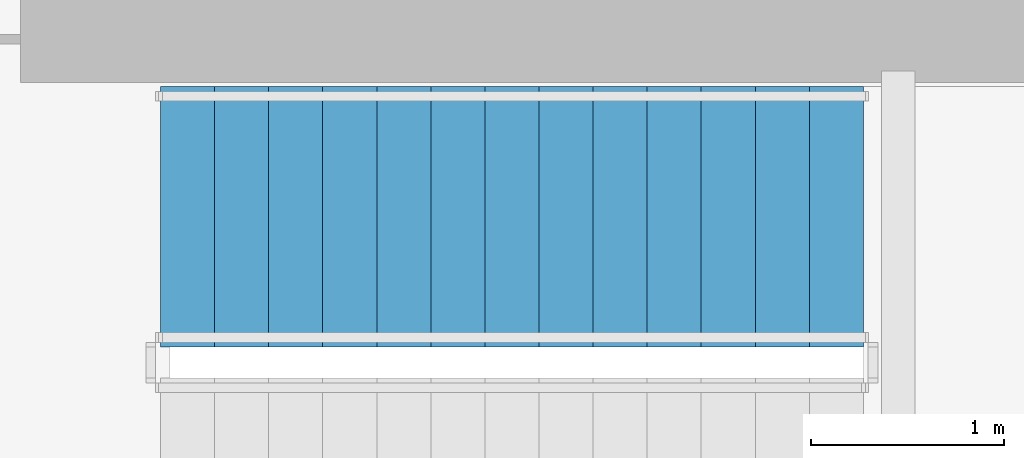
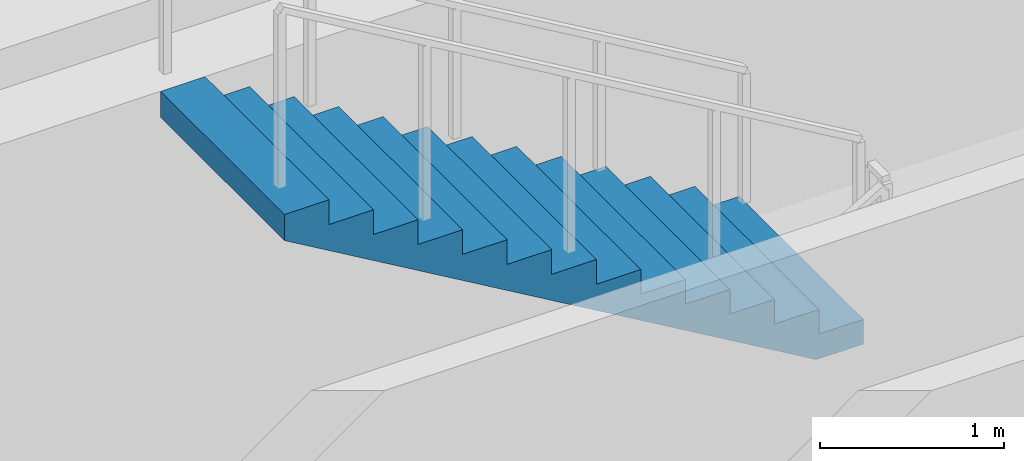
# One storey, part 18 of 20: 1 stair flight, 1 element without a shape of its own.
"""IFC4 building model written with IfcOpenShell, lengths in metres."""

import ifcopenshell
import ifcopenshell.guid

model = None  # the IFC model being written
_history = None  # IfcOwnerHistory: only IFC2X3 demands one
_inside = {}  # id of a spatial element -> (the spatial element, [elements in it])
_under = {}  # id of a project, library or spatial element -> (it, [spatial elements below it])
_declared = {}  # id of a project -> (the project, [libraries it declares])
_typed = {}  # id of a type object -> (the type object, [elements of that type])
_made_of = {}  # id of a material, layer set ... -> (it, [elements and type objects made of it])


def new_model(schema):
    """Start an empty IFC model of exactly this schema.

    Asked for "IFC4X3", IfcOpenShell would pick the latest addendum, in which some entities
    have other attributes; the version numbers below select the first issue.
    IFC2X3 requires an IfcOwnerHistory on every rooted entity: one is made here for all.
    """
    global model, _history
    if schema == "IFC4X3":
        model = ifcopenshell.file(schema_version=(4, 3, 0, 0))
    else:
        model = ifcopenshell.file(schema=schema)
    _inside.clear()
    _under.clear()
    _declared.clear()
    _typed.clear()
    _made_of.clear()
    _history = None
    if model.schema == "IFC2X3":
        org = make("IfcOrganization", Name="unknown")
        user = make(
            "IfcPersonAndOrganization",
            ThePerson=make("IfcPerson", FamilyName="unknown"),
            TheOrganization=org,
        )
        app = make(
            "IfcApplication",
            ApplicationDeveloper=org,
            Version="unknown",
            ApplicationFullName="unknown",
            ApplicationIdentifier="unknown",
        )
        _history = make(
            "IfcOwnerHistory",
            OwningUser=user,
            OwningApplication=app,
            ChangeAction="ADDED",
            CreationDate=0,
        )
    return model


def make(cls, **values):
    """One entity of the class cls with the attributes given. An attribute that is None is left unset."""
    return model.create_entity(
        cls, **{name: value for name, value in values.items() if value is not None}
    )


def rooted(cls, **values):
    """An entity with a GlobalId (a new one), such as an element, a storey or a relation."""
    return make(cls, GlobalId=ifcopenshell.guid.new(), OwnerHistory=_history, **values)


def si_unit(unit_type, name, prefix=None):
    """IfcSIUnit, for example si_unit("LENGTHUNIT", "METRE", prefix="MILLI")."""
    return make("IfcSIUnit", UnitType=unit_type, Prefix=prefix, Name=name)


def assignment(units):
    """IfcUnitAssignment: the units of a project."""
    return None if units is None else make("IfcUnitAssignment", Units=units)


def point(xyz):
    """IfcCartesianPoint."""
    return None if xyz is None else make("IfcCartesianPoint", Coordinates=xyz)


def direction(xyz):
    """IfcDirection."""
    return None if xyz is None else make("IfcDirection", DirectionRatios=xyz)


def frame(location, z_axis=None, x_axis=None):
    """IfcAxis2Placement3D, a coordinate frame: its origin and axes. An axis left out is left unset."""
    return make(
        "IfcAxis2Placement3D",
        Location=point(location),
        Axis=direction(z_axis),
        RefDirection=direction(x_axis),
    )


def origin():
    """The frame at (0, 0, 0) with its axes left unset."""
    return frame((0.0, 0.0, 0.0))


def place(relative_to, where):
    """IfcLocalPlacement: puts the frame where relative to a parent placement (None: the world)."""
    return make(
        "IfcLocalPlacement", PlacementRelTo=relative_to, RelativePlacement=where
    )


def context(
    kind, dimensions, precision=None, world=None, true_north=None, identifier=None
):
    """IfcGeometricRepresentationContext, for example the 3D "Model" context."""
    return make(
        "IfcGeometricRepresentationContext",
        ContextIdentifier=identifier,
        ContextType=kind,
        CoordinateSpaceDimension=dimensions,
        Precision=precision,
        WorldCoordinateSystem=world,
        TrueNorth=true_north,
    )


def subcontext(parent, identifier, kind, view, scale=None):
    """IfcGeometricRepresentationSubContext, for example "Body" below "Model"."""
    return make(
        "IfcGeometricRepresentationSubContext",
        ContextIdentifier=identifier,
        ContextType=kind,
        ParentContext=parent,
        TargetScale=scale,
        TargetView=view,
    )


def project(units=None, contexts=None):
    """IfcProject with its units and contexts."""
    return rooted(
        "IfcProject",
        Name="project",
        RepresentationContexts=contexts,
        UnitsInContext=assignment(units),
    )


def spatial(cls, under=None, at=None, **own):
    """A site, building, storey or space (cls), placed at a placement, below another one or the project."""
    s = rooted(cls, ObjectPlacement=at, **own)
    if under is not None:
        _under.setdefault(under.id(), (under, []))[1].append(s)
    return s


def polyline(points):
    """IfcPolyline through the points."""
    return make("IfcPolyline", Points=[point(p) for p in points])


def outline(outer, holes=None, kind="AREA"):
    """IfcArbitraryClosedProfileDef: a profile drawn as a closed curve; with holes, ...WithVoids."""
    if holes is None:
        return make("IfcArbitraryClosedProfileDef", ProfileType=kind, OuterCurve=outer)
    return make(
        "IfcArbitraryProfileDefWithVoids",
        ProfileType=kind,
        OuterCurve=outer,
        InnerCurves=holes,
    )


def extrude(swept, where, along, depth):
    """IfcExtrudedAreaSolid: the profile swept, set in the frame where, extruded along a direction by depth."""
    return make(
        "IfcExtrudedAreaSolid",
        SweptArea=swept,
        Position=where,
        ExtrudedDirection=direction(along),
        Depth=depth,
    )


def shape(context_of_items, identifier, shape_type, items):
    """IfcShapeRepresentation: the items that make up one representation, for example the "Body"."""
    return make(
        "IfcShapeRepresentation",
        ContextOfItems=context_of_items,
        RepresentationIdentifier=identifier,
        RepresentationType=shape_type,
        Items=items,
    )


def material(Name=None, Category=None):
    """IfcMaterial."""
    return make("IfcMaterial", Name=Name, Category=Category)


def made_of(thing, what):
    """Note that an element or type object is made of a material, layer set ...; save() writes the relation."""
    if what is not None:
        _made_of.setdefault(what.id(), (what, []))[1].append(thing)
    return thing


def type_object(cls, material=None, **own):
    """A type object (cls), such as IfcWallType, which elements share."""
    return made_of(rooted(cls, **own), material)


def element(
    cls,
    number,
    at=None,
    inside=None,
    cuts=None,
    type_object=None,
    material=None,
    context=None,
    identifier="Body",
    shape_type=None,
    held_by="IfcProductDefinitionShape",
    body=None,
    shapes=None,
    **own,
):
    """One element of the class cls, such as IfcWall. Its Tag is "e" and its number.

    at: its placement. inside: the storey or other place that contains it. cuts: it is an
    opening in that element (IfcRelVoidsElement). A single representation is given by context,
    identifier, shape_type and body (its items); several are given by shapes. held_by: the class
    of the entity that holds the representations. save() writes the other relations.
    """
    e = rooted(cls, Tag="e%d" % number, ObjectPlacement=at, **own)
    if body is not None:
        shapes = [shape(context, identifier, shape_type, body)]
    if shapes is not None:
        e.Representation = make(held_by, Representations=shapes)
    if inside is not None:
        _inside.setdefault(inside.id(), (inside, []))[1].append(e)
    if cuts is not None:
        rooted(
            "IfcRelVoidsElement", RelatingBuildingElement=cuts, RelatedOpeningElement=e
        )
    if type_object is not None:
        _typed.setdefault(type_object.id(), (type_object, []))[1].append(e)
    return made_of(e, material)


def aggregate(whole, parts):
    """IfcRelAggregates: a whole, such as a stair, and the parts it consists of."""
    return rooted("IfcRelAggregates", RelatingObject=whole, RelatedObjects=parts)


def save(model, path):
    """Write the relations noted so far, then the file.

    IfcRelAggregates (storeys below a building ...), IfcRelContainedInSpatialStructure (elements
    in a storey), IfcRelDefinesByType, IfcRelAssociatesMaterial and IfcRelDeclares: one each for
    every whole, place, type object, material and project.
    """
    for whole, parts in _under.values():
        aggregate(whole, parts)
    for where, things in _inside.values():
        rooted(
            "IfcRelContainedInSpatialStructure",
            RelatedElements=things,
            RelatingStructure=where,
        )
    for kind, things in _typed.values():
        rooted("IfcRelDefinesByType", RelatedObjects=things, RelatingType=kind)
    for what, things in _made_of.values():
        rooted("IfcRelAssociatesMaterial", RelatedObjects=things, RelatingMaterial=what)
    for by, libraries in _declared.values():
        rooted("IfcRelDeclares", RelatingContext=by, RelatedDefinitions=libraries)
    model.write(path)


model = new_model("IFC4")

# Units and contexts
model_context = context("Model", 3, precision=1e-05, world=origin(), true_north=direction((0.0, 1.0)))
body_context = subcontext(model_context, "Body", "Model", "MODEL_VIEW")
ifc_project = project(units=[si_unit("LENGTHUNIT", "METRE"), si_unit("AREAUNIT", "SQUARE_METRE"), si_unit("VOLUMEUNIT", "CUBIC_METRE"), si_unit("PLANEANGLEUNIT", "RADIAN"), si_unit("MASSUNIT", "GRAM", prefix="KILO")], contexts=[model_context])

# Site, building, storey
site_placement = place(None, origin())
site = spatial("IfcSite", under=ifc_project, at=site_placement, CompositionType="ELEMENT")
building_placement = place(site_placement, origin())
building = spatial("IfcBuilding", under=site, at=building_placement, Name="Qianvela Tower", CompositionType="ELEMENT")
storey_placement = place(building_placement, frame((0.0, 0.0, 321.300048828125)))
storey = spatial("IfcBuildingStorey", under=building, at=storey_placement, Name="L83", CompositionType="ELEMENT", Elevation=321.300048828125)

# Stair, stair flight
ifc_material_1 = material(Name="Concrete C40", Category="concrete")
stair_type = type_object("IfcStairType", Name="ST-DOGLEG-1350-R164-N28", PredefinedType="HALF_TURN_STAIR", material=ifc_material_1)
stair_placement = place(storey_placement, origin())
stair = element("IfcStair", 1, at=stair_placement, inside=storey, type_object=stair_type, Name="L83 Smoke-Proof Core Stair ST-1", PredefinedType="HALF_TURN_STAIR")
ifc_material_2 = material(Name="Concrete C40", Category="concrete")
stair_flight_type = type_object("IfcStairFlightType", Name="STF-STRAIGHT-R164-P14", PredefinedType="STRAIGHT", material=ifc_material_2)
stair_flight_placement = place(storey_placement, frame((35.840087890625, 31.72509765625, 2.300048828125), z_axis=(0.0, 0.0, 1.0), x_axis=(-1.0, 0.0, 0.0)))
stair_flight = element("IfcStairFlight", 2, at=stair_flight_placement, type_object=stair_flight_type, Name="ST-1 flight 2", NumberOfRisers=14, NumberOfTreads=13, PredefinedType="STRAIGHT", RiserHeight=0.164285714, TreadLength=0.28, context=body_context, shape_type="SweptSolid", body=[
    extrude(outline(polyline([(0.0, 0.0), (0.0, 0.164306640625), (0.280029296875, 0.164306640625), (0.280029296875, 0.32861328125), (0.56005859375, 0.32861328125), (0.56005859375, 0.492919921875), (0.840087890625, 0.492919921875), (0.840087890625, 0.6572265625), (1.1201171875, 0.6572265625), (1.1201171875, 0.821533203125), (1.39990234375, 0.821533203125), (1.39990234375, 0.985595703125), (1.679931640625, 0.985595703125), (1.679931640625, 1.14990234375), (1.9599609375, 1.14990234375), (1.9599609375, 1.314208984375), (2.239990234375, 1.314208984375), (2.239990234375, 1.478515625), (2.52001953125, 1.478515625), (2.52001953125, 1.642822265625), (2.800048828125, 1.642822265625), (2.800048828125, 1.80712890625), (3.080078125, 1.80712890625), (3.080078125, 1.971435546875), (3.360107421875, 1.971435546875), (3.360107421875, 2.1357421875), (3.639892578125, 2.1357421875), (3.639892578125, 2.300048828125), (3.639892578125, 1.9619140625), (0.296142578125, 0.0), (0.0, 0.0)])), frame((0.0, 0.675048828125, 0.0), z_axis=(0.0, -1.0, 0.0), x_axis=(1.0, 0.0, 0.0)), (0.0, 0.0, 1.0), 1.35009765625),
])
aggregate(stair, [stair_flight])

save(model, "model.ifc")
